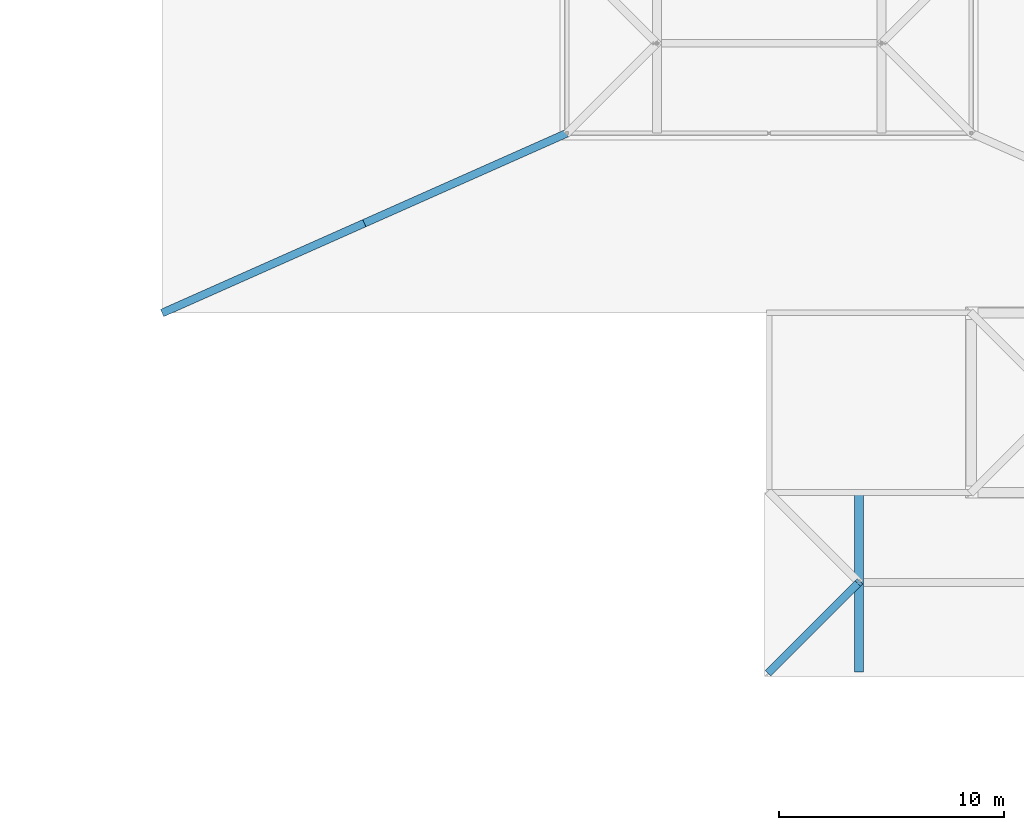
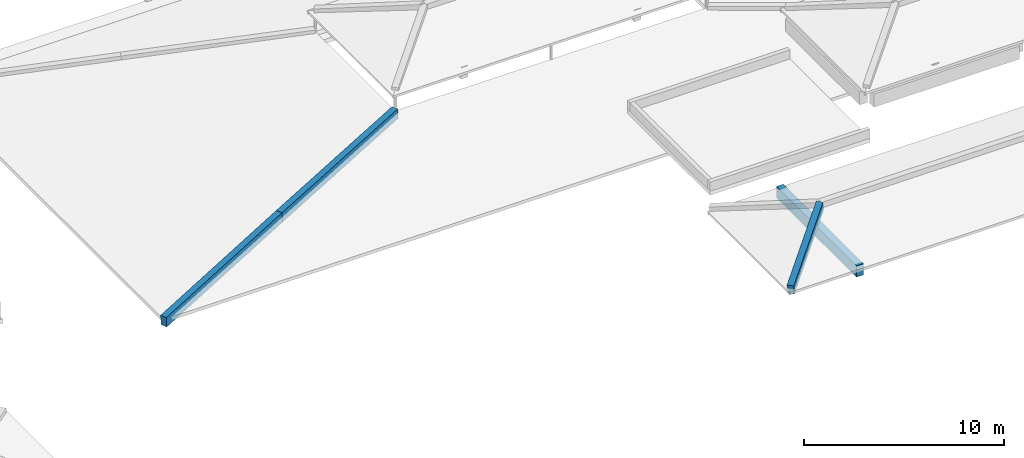
# One storey, part 7 of 56: 4 beams.
"""IFC4 building model written with IfcOpenShell, lengths in metres."""

from ifc_helpers import new_model, si_unit, direction, frame, origin, origin_2d, place, context, subcontext, project, spatial, rectangle, extrude, material, material_profile, profile_set, type_object, element, save


model = new_model("IFC4")

# Units and contexts
model_context = context("Model", 3, precision=1e-05, world=origin(), true_north=direction((0.0, 1.0)))
body_context = subcontext(model_context, "Body", "Model", "MODEL_VIEW")
ifc_project = project(units=[si_unit("LENGTHUNIT", "METRE"), si_unit("AREAUNIT", "SQUARE_METRE"), si_unit("VOLUMEUNIT", "CUBIC_METRE"), si_unit("PLANEANGLEUNIT", "RADIAN"), si_unit("MASSUNIT", "GRAM", prefix="KILO")], contexts=[model_context])

# Site, building, storey
site_placement = place(None, origin())
site = spatial("IfcSite", under=ifc_project, at=site_placement, CompositionType="ELEMENT")
building_placement = place(site_placement, origin())
building = spatial("IfcBuilding", under=site, at=building_placement, Name="Zacnel Wholesale Market", CompositionType="ELEMENT")
storey_placement = place(building_placement, frame((0.0, 0.0, 20.300048828125)))
storey = spatial("IfcBuildingStorey", under=building, at=storey_placement, Name="RF", CompositionType="ELEMENT", Elevation=20.300048828125)

# Beams
ifc_material_1 = material(Name="Concrete C40/50", Category="concrete")
ifc_material_profile_1 = material_profile(ifc_material_1, rectangle(XDim=0.35009765625, YDim=0.60009765625, at=origin_2d()), Name="ARCH RIB 350x600")
ifc_profile_set_1 = profile_set([ifc_material_profile_1], Name="Concrete C40/50")
beam_type_1 = type_object("IfcBeamType", Name="BM-AR600", PredefinedType="USERDEFINED", material=ifc_profile_set_1)
beam_1_placement = place(storey_placement, frame((81.0, 24.0, -6.75), z_axis=(0.910585042662, 0.404704463405, 0.083959379341), x_axis=(-0.406138466053, 0.91381154862, 0.0)))
element("IfcBeam", 1, at=beam_1_placement, inside=storey, type_object=beam_type_1, Name="Auction pavilion hip rib 1-1", ObjectType="ARCH RIB", PredefinedType="USERDEFINED", context=body_context, shape_type="SweptSolid", body=[
    extrude(rectangle(XDim=0.35009765625, YDim=0.60009765625, at=origin_2d()), origin(), (0.0, 0.0, 1.0), 9.8837890625),
])
beam_2_placement = place(storey_placement, frame((90.0, 28.0, -5.920166015625), z_axis=(0.911031368567, 0.404902830474, 0.077945771931), x_axis=(-0.406138466053, 0.91381154862, 0.0)))
element("IfcBeam", 2, at=beam_2_placement, inside=storey, type_object=beam_type_1, Name="Auction pavilion hip rib 1-2", ObjectType="ARCH RIB", PredefinedType="USERDEFINED", context=body_context, shape_type="SweptSolid", body=[
    extrude(rectangle(XDim=0.35009765625, YDim=0.60009765625, at=origin_2d()), origin(), (0.0, 0.0, 1.0), 9.87890625),
])
beam_3_placement = place(storey_placement, frame((108.0, 8.0, -4.570068359375), z_axis=(0.689141918443, 0.689141918443, 0.223979535871), x_axis=(-0.707106781187, 0.707106781187, 0.0)))
element("IfcBeam", 3, at=beam_3_placement, inside=storey, type_object=beam_type_1, Name="Hipped crown rib STR-ROOF-V4E-SOUTH-1", ObjectType="ARCH RIB", PredefinedType="USERDEFINED", context=body_context, shape_type="SweptSolid", body=[
    extrude(rectangle(XDim=0.35009765625, YDim=0.60009765625, at=origin_2d()), origin(), (0.0, 0.0, 1.0), 5.80419921875),
])
ifc_material_2 = material(Name="Precast concrete C45/55", Category="concrete")
ifc_material_profile_2 = material_profile(ifc_material_2, rectangle(XDim=0.39990234375, YDim=0.699951171875, at=origin_2d()), Name="PG 400x700")
ifc_profile_set_2 = profile_set([ifc_material_profile_2], Name="Precast concrete C45/55")
beam_type_2 = type_object("IfcBeamType", Name="BM-PG700", PredefinedType="BEAM", material=ifc_profile_set_2)
beam_4_placement = place(storey_placement, frame((112.0, 8.0, -4.800048828125), z_axis=(0.0, 1.0, 0.0), x_axis=(-1.0, 0.0, 0.0)))
element("IfcBeam", 4, at=beam_4_placement, inside=storey, type_object=beam_type_2, Name="Hipped crown tie beam STR-ROOF-V4E-SOUTH-1", PredefinedType="BEAM", context=body_context, shape_type="SweptSolid", body=[
    extrude(rectangle(XDim=0.39990234375, YDim=0.699951171875, at=origin_2d()), origin(), (0.0, 0.0, 1.0), 8.0),
])

save(model, "model.ifc")
